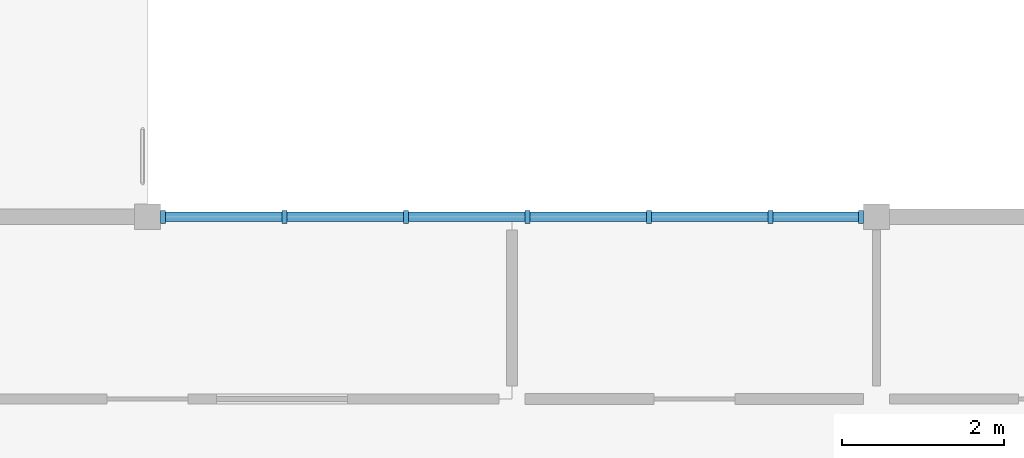
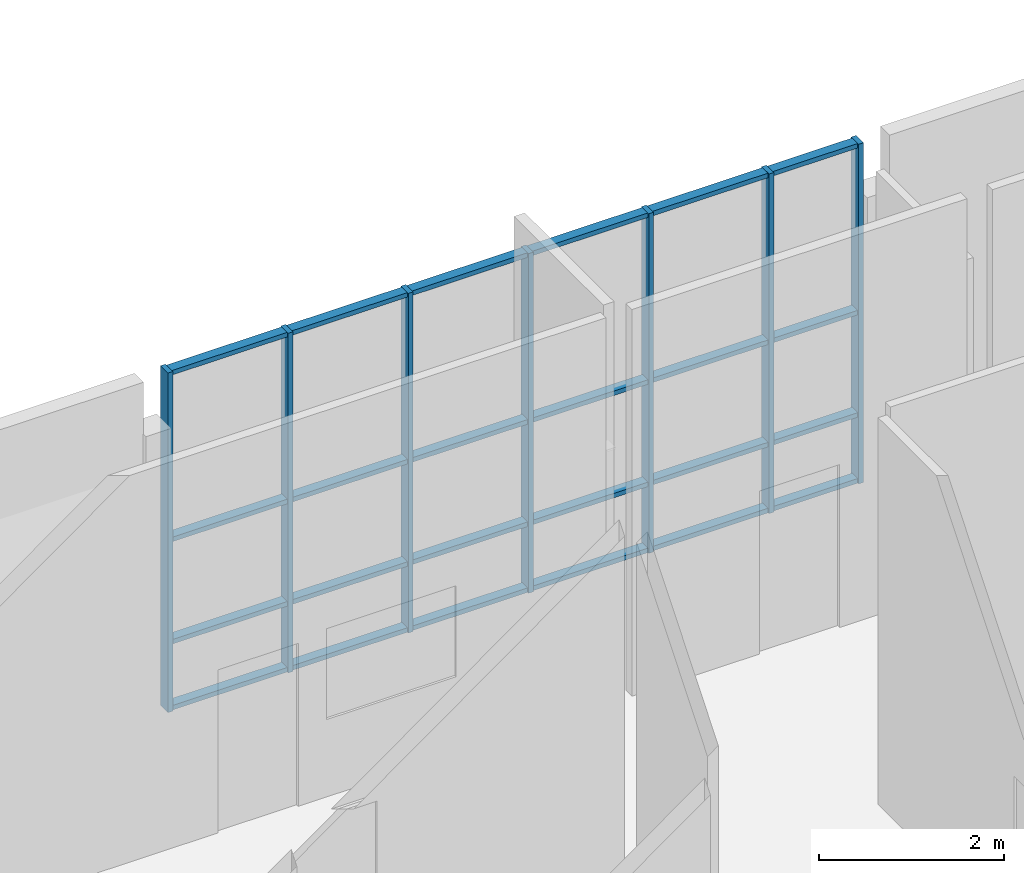
# One storey, part 2 of 8: 31 members, 1 element without a shape of its own.
"""IFC4 building model written with IfcOpenShell, lengths in metres."""

import ifcopenshell
import ifcopenshell.guid

model = None  # the IFC model being written
_history = None  # IfcOwnerHistory: only IFC2X3 demands one
_inside = {}  # id of a spatial element -> (the spatial element, [elements in it])
_under = {}  # id of a project, library or spatial element -> (it, [spatial elements below it])
_declared = {}  # id of a project -> (the project, [libraries it declares])
_typed = {}  # id of a type object -> (the type object, [elements of that type])
_made_of = {}  # id of a material, layer set ... -> (it, [elements and type objects made of it])


def new_model(schema):
    """Start an empty IFC model of exactly this schema.

    Asked for "IFC4X3", IfcOpenShell would pick the latest addendum, in which some entities
    have other attributes; the version numbers below select the first issue.
    IFC2X3 requires an IfcOwnerHistory on every rooted entity: one is made here for all.
    """
    global model, _history
    if schema == "IFC4X3":
        model = ifcopenshell.file(schema_version=(4, 3, 0, 0))
    else:
        model = ifcopenshell.file(schema=schema)
    _inside.clear()
    _under.clear()
    _declared.clear()
    _typed.clear()
    _made_of.clear()
    _history = None
    if model.schema == "IFC2X3":
        org = make("IfcOrganization", Name="unknown")
        user = make(
            "IfcPersonAndOrganization",
            ThePerson=make("IfcPerson", FamilyName="unknown"),
            TheOrganization=org,
        )
        app = make(
            "IfcApplication",
            ApplicationDeveloper=org,
            Version="unknown",
            ApplicationFullName="unknown",
            ApplicationIdentifier="unknown",
        )
        _history = make(
            "IfcOwnerHistory",
            OwningUser=user,
            OwningApplication=app,
            ChangeAction="ADDED",
            CreationDate=0,
        )
    return model


def make(cls, **values):
    """One entity of the class cls with the attributes given. An attribute that is None is left unset."""
    return model.create_entity(
        cls, **{name: value for name, value in values.items() if value is not None}
    )


def rooted(cls, **values):
    """An entity with a GlobalId (a new one), such as an element, a storey or a relation."""
    return make(cls, GlobalId=ifcopenshell.guid.new(), OwnerHistory=_history, **values)


def si_unit(unit_type, name, prefix=None):
    """IfcSIUnit, for example si_unit("LENGTHUNIT", "METRE", prefix="MILLI")."""
    return make("IfcSIUnit", UnitType=unit_type, Prefix=prefix, Name=name)


def assignment(units):
    """IfcUnitAssignment: the units of a project."""
    return None if units is None else make("IfcUnitAssignment", Units=units)


def point(xyz):
    """IfcCartesianPoint."""
    return None if xyz is None else make("IfcCartesianPoint", Coordinates=xyz)


def direction(xyz):
    """IfcDirection."""
    return None if xyz is None else make("IfcDirection", DirectionRatios=xyz)


def frame(location, z_axis=None, x_axis=None):
    """IfcAxis2Placement3D, a coordinate frame: its origin and axes. An axis left out is left unset."""
    return make(
        "IfcAxis2Placement3D",
        Location=point(location),
        Axis=direction(z_axis),
        RefDirection=direction(x_axis),
    )


def frame_2d(location, x_axis=None):
    """IfcAxis2Placement2D, a coordinate frame in the plane: its origin and x axis."""
    return make(
        "IfcAxis2Placement2D", Location=point(location), RefDirection=direction(x_axis)
    )


def origin():
    """The frame at (0, 0, 0) with its axes left unset."""
    return frame((0.0, 0.0, 0.0))


def origin_2d():
    """The frame at (0, 0) in the plane with its x axis left unset."""
    return frame_2d((0.0, 0.0))


def place(relative_to, where):
    """IfcLocalPlacement: puts the frame where relative to a parent placement (None: the world)."""
    return make(
        "IfcLocalPlacement", PlacementRelTo=relative_to, RelativePlacement=where
    )


def context(
    kind, dimensions, precision=None, world=None, true_north=None, identifier=None
):
    """IfcGeometricRepresentationContext, for example the 3D "Model" context."""
    return make(
        "IfcGeometricRepresentationContext",
        ContextIdentifier=identifier,
        ContextType=kind,
        CoordinateSpaceDimension=dimensions,
        Precision=precision,
        WorldCoordinateSystem=world,
        TrueNorth=true_north,
    )


def subcontext(parent, identifier, kind, view, scale=None):
    """IfcGeometricRepresentationSubContext, for example "Body" below "Model"."""
    return make(
        "IfcGeometricRepresentationSubContext",
        ContextIdentifier=identifier,
        ContextType=kind,
        ParentContext=parent,
        TargetScale=scale,
        TargetView=view,
    )


def project(units=None, contexts=None):
    """IfcProject with its units and contexts."""
    return rooted(
        "IfcProject",
        Name="project",
        RepresentationContexts=contexts,
        UnitsInContext=assignment(units),
    )


def spatial(cls, under=None, at=None, **own):
    """A site, building, storey or space (cls), placed at a placement, below another one or the project."""
    s = rooted(cls, ObjectPlacement=at, **own)
    if under is not None:
        _under.setdefault(under.id(), (under, []))[1].append(s)
    return s


def profile(cls, at=None, kind="AREA", **sizes):
    """A parametric profile (cls). Its sizes go by their IFC names, for example OverallWidth=200.0."""
    return make(cls, ProfileType=kind, Position=at, **sizes)


def rectangle(**sizes):
    """IfcRectangleProfileDef."""
    return profile("IfcRectangleProfileDef", **sizes)


def extrude(swept, where, along, depth):
    """IfcExtrudedAreaSolid: the profile swept, set in the frame where, extruded along a direction by depth."""
    return make(
        "IfcExtrudedAreaSolid",
        SweptArea=swept,
        Position=where,
        ExtrudedDirection=direction(along),
        Depth=depth,
    )


def shape(context_of_items, identifier, shape_type, items):
    """IfcShapeRepresentation: the items that make up one representation, for example the "Body"."""
    return make(
        "IfcShapeRepresentation",
        ContextOfItems=context_of_items,
        RepresentationIdentifier=identifier,
        RepresentationType=shape_type,
        Items=items,
    )


def material(Name=None, Category=None):
    """IfcMaterial."""
    return make("IfcMaterial", Name=Name, Category=Category)


def layer(
    of_material, thickness, ventilated=None, Name=None, Category=None, Priority=None
):
    """IfcMaterialLayer: one layer of a wall or slab, of a material (None: an air gap)."""
    return make(
        "IfcMaterialLayer",
        Material=of_material,
        LayerThickness=thickness,
        IsVentilated=ventilated,
        Name=Name,
        Category=Category,
        Priority=Priority,
    )


def layer_set(layers, Name=None):
    """IfcMaterialLayerSet."""
    return make("IfcMaterialLayerSet", MaterialLayers=layers, LayerSetName=Name)


def material_profile(
    of_material, cross_section, Name=None, Category=None, Priority=None
):
    """IfcMaterialProfile: a cross section and its material."""
    return make(
        "IfcMaterialProfile",
        Name=Name,
        Material=of_material,
        Profile=cross_section,
        Priority=Priority,
        Category=Category,
    )


def profile_set(profiles, Name=None, composite=None):
    """IfcMaterialProfileSet."""
    return make(
        "IfcMaterialProfileSet",
        Name=Name,
        MaterialProfiles=profiles,
        CompositeProfile=composite,
    )


def made_of(thing, what):
    """Note that an element or type object is made of a material, layer set ...; save() writes the relation."""
    if what is not None:
        _made_of.setdefault(what.id(), (what, []))[1].append(thing)
    return thing


def type_object(cls, material=None, **own):
    """A type object (cls), such as IfcWallType, which elements share."""
    return made_of(rooted(cls, **own), material)


def element(
    cls,
    number,
    at=None,
    inside=None,
    cuts=None,
    type_object=None,
    material=None,
    context=None,
    identifier="Body",
    shape_type=None,
    held_by="IfcProductDefinitionShape",
    body=None,
    shapes=None,
    **own,
):
    """One element of the class cls, such as IfcWall. Its Tag is "e" and its number.

    at: its placement. inside: the storey or other place that contains it. cuts: it is an
    opening in that element (IfcRelVoidsElement). A single representation is given by context,
    identifier, shape_type and body (its items); several are given by shapes. held_by: the class
    of the entity that holds the representations. save() writes the other relations.
    """
    e = rooted(cls, Tag="e%d" % number, ObjectPlacement=at, **own)
    if body is not None:
        shapes = [shape(context, identifier, shape_type, body)]
    if shapes is not None:
        e.Representation = make(held_by, Representations=shapes)
    if inside is not None:
        _inside.setdefault(inside.id(), (inside, []))[1].append(e)
    if cuts is not None:
        rooted(
            "IfcRelVoidsElement", RelatingBuildingElement=cuts, RelatedOpeningElement=e
        )
    if type_object is not None:
        _typed.setdefault(type_object.id(), (type_object, []))[1].append(e)
    return made_of(e, material)


def aggregate(whole, parts):
    """IfcRelAggregates: a whole, such as a stair, and the parts it consists of."""
    return rooted("IfcRelAggregates", RelatingObject=whole, RelatedObjects=parts)


def save(model, path):
    """Write the relations noted so far, then the file.

    IfcRelAggregates (storeys below a building ...), IfcRelContainedInSpatialStructure (elements
    in a storey), IfcRelDefinesByType, IfcRelAssociatesMaterial and IfcRelDeclares: one each for
    every whole, place, type object, material and project.
    """
    for whole, parts in _under.values():
        aggregate(whole, parts)
    for where, things in _inside.values():
        rooted(
            "IfcRelContainedInSpatialStructure",
            RelatedElements=things,
            RelatingStructure=where,
        )
    for kind, things in _typed.values():
        rooted("IfcRelDefinesByType", RelatedObjects=things, RelatingType=kind)
    for what, things in _made_of.values():
        rooted("IfcRelAssociatesMaterial", RelatedObjects=things, RelatingMaterial=what)
    for by, libraries in _declared.values():
        rooted("IfcRelDeclares", RelatingContext=by, RelatedDefinitions=libraries)
    model.write(path)


model = new_model("IFC4")

# Units and contexts
model_context = context("Model", 3, precision=1e-05, world=origin(), true_north=direction((0.0, 1.0)))
body_context = subcontext(model_context, "Body", "Model", "MODEL_VIEW")
ifc_project = project(units=[si_unit("LENGTHUNIT", "METRE"), si_unit("AREAUNIT", "SQUARE_METRE"), si_unit("VOLUMEUNIT", "CUBIC_METRE"), si_unit("PLANEANGLEUNIT", "RADIAN"), si_unit("MASSUNIT", "GRAM", prefix="KILO")], contexts=[model_context])

# Site, building, storey
site_placement = place(None, origin())
site = spatial("IfcSite", under=ifc_project, at=site_placement, CompositionType="ELEMENT")
building_placement = place(site_placement, origin())
building = spatial("IfcBuilding", under=site, at=building_placement, Name="Marnridge Secondary College", CompositionType="ELEMENT")
storey_placement = place(building_placement, frame((0.0, 0.0, 19.89990234375)))
storey = spatial("IfcBuildingStorey", under=building, at=storey_placement, Name="L05", CompositionType="ELEMENT", Elevation=19.89990234375)

# Curtain wall, members
ifc_material_1 = material(Name="Thermally broken aluminium and low-E glazing", Category="aluminium")
ifc_layer = layer(ifc_material_1, 0.159912109375)
ifc_layer_set = layer_set([ifc_layer], Name="CW-MOD-1500")
curtain_wall_type = type_object("IfcCurtainWallType", Name="CW-MOD-1500", PredefinedType="NOTDEFINED", material=ifc_layer_set)
curtain_wall_placement = place(storey_placement, origin())
curtain_wall = element("IfcCurtainWall", 1, at=curtain_wall_placement, inside=storey, type_object=curtain_wall_type, Name="Unitised curtain wall CW-L05-152", PredefinedType="NOTDEFINED")
ifc_material_2 = material(Name="Anodised aluminium 6063-T6", Category="aluminium")
ifc_material_profile_1 = material_profile(ifc_material_2, rectangle(XDim=0.06005859375, YDim=0.159912109375, at=origin_2d()), Name="ALU 60x160")
ifc_profile_set_1 = profile_set([ifc_material_profile_1], Name="Anodised aluminium 6063-T6")
member_type_1 = type_object("IfcMemberType", Name="CWM-ALU160", PredefinedType="MULLION", material=ifc_profile_set_1)
member_1_placement = place(storey_placement, frame((63.19140625, 67.5, 0.0), z_axis=(0.0, 0.0, 1.0), x_axis=(1.0, 0.0, 0.0)))
member_1 = element("IfcMember", 2, at=member_1_placement, type_object=member_type_1, Name="CW-L05-152 mullion 1", PredefinedType="MULLION", context=body_context, shape_type="SweptSolid", body=[
    extrude(rectangle(XDim=0.06005859375, YDim=0.159912109375, at=origin_2d()), origin(), (0.0, 0.0, 1.0), 4.48046875),
])
member_2_placement = place(storey_placement, frame((64.69140625, 67.5, 0.0), z_axis=(0.0, 0.0, 1.0), x_axis=(1.0, 0.0, 0.0)))
member_2 = element("IfcMember", 3, at=member_2_placement, type_object=member_type_1, Name="CW-L05-152 mullion 2", PredefinedType="MULLION", context=body_context, shape_type="SweptSolid", body=[
    extrude(rectangle(XDim=0.06005859375, YDim=0.159912109375, at=origin_2d()), origin(), (0.0, 0.0, 1.0), 4.48046875),
])
member_3_placement = place(storey_placement, frame((66.19140625, 67.5, 0.0), z_axis=(0.0, 0.0, 1.0), x_axis=(1.0, 0.0, 0.0)))
member_3 = element("IfcMember", 4, at=member_3_placement, type_object=member_type_1, Name="CW-L05-152 mullion 3", PredefinedType="MULLION", context=body_context, shape_type="SweptSolid", body=[
    extrude(rectangle(XDim=0.06005859375, YDim=0.159912109375, at=origin_2d()), origin(), (0.0, 0.0, 1.0), 4.48046875),
])
member_4_placement = place(storey_placement, frame((67.69140625, 67.5, 0.0), z_axis=(0.0, 0.0, 1.0), x_axis=(1.0, 0.0, 0.0)))
member_4 = element("IfcMember", 5, at=member_4_placement, type_object=member_type_1, Name="CW-L05-152 mullion 4", PredefinedType="MULLION", context=body_context, shape_type="SweptSolid", body=[
    extrude(rectangle(XDim=0.06005859375, YDim=0.159912109375, at=origin_2d()), origin(), (0.0, 0.0, 1.0), 4.48046875),
])
member_5_placement = place(storey_placement, frame((69.19140625, 67.5, 0.0), z_axis=(0.0, 0.0, 1.0), x_axis=(1.0, 0.0, 0.0)))
member_5 = element("IfcMember", 6, at=member_5_placement, type_object=member_type_1, Name="CW-L05-152 mullion 5", PredefinedType="MULLION", context=body_context, shape_type="SweptSolid", body=[
    extrude(rectangle(XDim=0.06005859375, YDim=0.159912109375, at=origin_2d()), origin(), (0.0, 0.0, 1.0), 4.48046875),
])
member_6_placement = place(storey_placement, frame((70.69140625, 67.5, 0.0), z_axis=(0.0, 0.0, 1.0), x_axis=(1.0, 0.0, 0.0)))
member_6 = element("IfcMember", 7, at=member_6_placement, type_object=member_type_1, Name="CW-L05-152 mullion 6", PredefinedType="MULLION", context=body_context, shape_type="SweptSolid", body=[
    extrude(rectangle(XDim=0.06005859375, YDim=0.159912109375, at=origin_2d()), origin(), (0.0, 0.0, 1.0), 4.48046875),
])
member_7_placement = place(storey_placement, frame((71.80859375, 67.5, 0.0), z_axis=(0.0, 0.0, 1.0), x_axis=(1.0, 0.0, 0.0)))
member_7 = element("IfcMember", 8, at=member_7_placement, type_object=member_type_1, Name="CW-L05-152 mullion 7", PredefinedType="MULLION", context=body_context, shape_type="SweptSolid", body=[
    extrude(rectangle(XDim=0.06005859375, YDim=0.159912109375, at=origin_2d()), origin(), (0.0, 0.0, 1.0), 4.48046875),
])
ifc_material_3 = material(Name="Anodised aluminium 6063-T6", Category="aluminium")
ifc_material_profile_2 = material_profile(ifc_material_3, rectangle(XDim=0.06005859375, YDim=0.1201171875, at=origin_2d()), Name="ALU 60x120")
ifc_profile_set_2 = profile_set([ifc_material_profile_2], Name="Anodised aluminium 6063-T6")
member_type_2 = type_object("IfcMemberType", Name="CWT-ALU120", PredefinedType="USERDEFINED", material=ifc_profile_set_2)
member_8_placement = place(storey_placement, frame((63.221435546875, 67.5, 0.030029296875), z_axis=(1.0, 0.0, 0.0), x_axis=(0.0, 0.0, 1.0)))
member_8 = element("IfcMember", 9, at=member_8_placement, type_object=member_type_2, Name="CW-L05-152 transom 1.1", ObjectType="TRANSOM", PredefinedType="USERDEFINED", context=body_context, shape_type="SweptSolid", body=[
    extrude(rectangle(XDim=0.06005859375, YDim=0.1201171875, at=origin_2d()), origin(), (0.0, 0.0, 1.0), 1.440185546875),
])
member_9_placement = place(storey_placement, frame((63.221435546875, 67.5, 0.900146484375), z_axis=(1.0, 0.0, 0.0), x_axis=(0.0, 0.0, 1.0)))
member_9 = element("IfcMember", 10, at=member_9_placement, type_object=member_type_2, Name="CW-L05-152 transom 1.2", ObjectType="TRANSOM", PredefinedType="USERDEFINED", context=body_context, shape_type="SweptSolid", body=[
    extrude(rectangle(XDim=0.06005859375, YDim=0.1201171875, at=origin_2d()), origin(), (0.0, 0.0, 1.0), 1.440185546875),
])
member_10_placement = place(storey_placement, frame((63.221435546875, 67.5, 2.25), z_axis=(1.0, 0.0, 0.0), x_axis=(0.0, 0.0, 1.0)))
member_10 = element("IfcMember", 11, at=member_10_placement, type_object=member_type_2, Name="CW-L05-152 transom 1.3", ObjectType="TRANSOM", PredefinedType="USERDEFINED", context=body_context, shape_type="SweptSolid", body=[
    extrude(rectangle(XDim=0.06005859375, YDim=0.1201171875, at=origin_2d()), origin(), (0.0, 0.0, 1.0), 1.440185546875),
])
member_11_placement = place(storey_placement, frame((63.221435546875, 67.5, 4.450439453125), z_axis=(1.0, 0.0, 0.0), x_axis=(0.0, 0.0, 1.0)))
member_11 = element("IfcMember", 12, at=member_11_placement, type_object=member_type_2, Name="CW-L05-152 transom 1.4", ObjectType="TRANSOM", PredefinedType="USERDEFINED", context=body_context, shape_type="SweptSolid", body=[
    extrude(rectangle(XDim=0.06005859375, YDim=0.1201171875, at=origin_2d()), origin(), (0.0, 0.0, 1.0), 1.440185546875),
])
member_12_placement = place(storey_placement, frame((64.721435546875, 67.5, 0.030029296875), z_axis=(1.0, 0.0, 0.0), x_axis=(0.0, 0.0, 1.0)))
member_12 = element("IfcMember", 13, at=member_12_placement, type_object=member_type_2, Name="CW-L05-152 transom 2.1", ObjectType="TRANSOM", PredefinedType="USERDEFINED", context=body_context, shape_type="SweptSolid", body=[
    extrude(rectangle(XDim=0.06005859375, YDim=0.1201171875, at=origin_2d()), origin(), (0.0, 0.0, 1.0), 1.440185546875),
])
member_13_placement = place(storey_placement, frame((64.721435546875, 67.5, 0.900146484375), z_axis=(1.0, 0.0, 0.0), x_axis=(0.0, 0.0, 1.0)))
member_13 = element("IfcMember", 14, at=member_13_placement, type_object=member_type_2, Name="CW-L05-152 transom 2.2", ObjectType="TRANSOM", PredefinedType="USERDEFINED", context=body_context, shape_type="SweptSolid", body=[
    extrude(rectangle(XDim=0.06005859375, YDim=0.1201171875, at=origin_2d()), origin(), (0.0, 0.0, 1.0), 1.440185546875),
])
member_14_placement = place(storey_placement, frame((64.721435546875, 67.5, 2.25), z_axis=(1.0, 0.0, 0.0), x_axis=(0.0, 0.0, 1.0)))
member_14 = element("IfcMember", 15, at=member_14_placement, type_object=member_type_2, Name="CW-L05-152 transom 2.3", ObjectType="TRANSOM", PredefinedType="USERDEFINED", context=body_context, shape_type="SweptSolid", body=[
    extrude(rectangle(XDim=0.06005859375, YDim=0.1201171875, at=origin_2d()), origin(), (0.0, 0.0, 1.0), 1.440185546875),
])
member_15_placement = place(storey_placement, frame((64.721435546875, 67.5, 4.450439453125), z_axis=(1.0, 0.0, 0.0), x_axis=(0.0, 0.0, 1.0)))
member_15 = element("IfcMember", 16, at=member_15_placement, type_object=member_type_2, Name="CW-L05-152 transom 2.4", ObjectType="TRANSOM", PredefinedType="USERDEFINED", context=body_context, shape_type="SweptSolid", body=[
    extrude(rectangle(XDim=0.06005859375, YDim=0.1201171875, at=origin_2d()), origin(), (0.0, 0.0, 1.0), 1.440185546875),
])
member_16_placement = place(storey_placement, frame((66.221435546875, 67.5, 0.030029296875), z_axis=(1.0, 0.0, 0.0), x_axis=(0.0, 0.0, 1.0)))
member_16 = element("IfcMember", 17, at=member_16_placement, type_object=member_type_2, Name="CW-L05-152 transom 3.1", ObjectType="TRANSOM", PredefinedType="USERDEFINED", context=body_context, shape_type="SweptSolid", body=[
    extrude(rectangle(XDim=0.06005859375, YDim=0.1201171875, at=origin_2d()), origin(), (0.0, 0.0, 1.0), 1.440185546875),
])
member_17_placement = place(storey_placement, frame((66.221435546875, 67.5, 0.900146484375), z_axis=(1.0, 0.0, 0.0), x_axis=(0.0, 0.0, 1.0)))
member_17 = element("IfcMember", 18, at=member_17_placement, type_object=member_type_2, Name="CW-L05-152 transom 3.2", ObjectType="TRANSOM", PredefinedType="USERDEFINED", context=body_context, shape_type="SweptSolid", body=[
    extrude(rectangle(XDim=0.06005859375, YDim=0.1201171875, at=origin_2d()), origin(), (0.0, 0.0, 1.0), 1.440185546875),
])
member_18_placement = place(storey_placement, frame((66.221435546875, 67.5, 2.25), z_axis=(1.0, 0.0, 0.0), x_axis=(0.0, 0.0, 1.0)))
member_18 = element("IfcMember", 19, at=member_18_placement, type_object=member_type_2, Name="CW-L05-152 transom 3.3", ObjectType="TRANSOM", PredefinedType="USERDEFINED", context=body_context, shape_type="SweptSolid", body=[
    extrude(rectangle(XDim=0.06005859375, YDim=0.1201171875, at=origin_2d()), origin(), (0.0, 0.0, 1.0), 1.440185546875),
])
member_19_placement = place(storey_placement, frame((66.221435546875, 67.5, 4.450439453125), z_axis=(1.0, 0.0, 0.0), x_axis=(0.0, 0.0, 1.0)))
member_19 = element("IfcMember", 20, at=member_19_placement, type_object=member_type_2, Name="CW-L05-152 transom 3.4", ObjectType="TRANSOM", PredefinedType="USERDEFINED", context=body_context, shape_type="SweptSolid", body=[
    extrude(rectangle(XDim=0.06005859375, YDim=0.1201171875, at=origin_2d()), origin(), (0.0, 0.0, 1.0), 1.440185546875),
])
member_20_placement = place(storey_placement, frame((67.721435546875, 67.5, 0.030029296875), z_axis=(1.0, 0.0, 0.0), x_axis=(0.0, 0.0, 1.0)))
member_20 = element("IfcMember", 21, at=member_20_placement, type_object=member_type_2, Name="CW-L05-152 transom 4.1", ObjectType="TRANSOM", PredefinedType="USERDEFINED", context=body_context, shape_type="SweptSolid", body=[
    extrude(rectangle(XDim=0.06005859375, YDim=0.1201171875, at=origin_2d()), origin(), (0.0, 0.0, 1.0), 1.440185546875),
])
member_21_placement = place(storey_placement, frame((67.721435546875, 67.5, 0.900146484375), z_axis=(1.0, 0.0, 0.0), x_axis=(0.0, 0.0, 1.0)))
member_21 = element("IfcMember", 22, at=member_21_placement, type_object=member_type_2, Name="CW-L05-152 transom 4.2", ObjectType="TRANSOM", PredefinedType="USERDEFINED", context=body_context, shape_type="SweptSolid", body=[
    extrude(rectangle(XDim=0.06005859375, YDim=0.1201171875, at=origin_2d()), origin(), (0.0, 0.0, 1.0), 1.440185546875),
])
member_22_placement = place(storey_placement, frame((67.721435546875, 67.5, 2.25), z_axis=(1.0, 0.0, 0.0), x_axis=(0.0, 0.0, 1.0)))
member_22 = element("IfcMember", 23, at=member_22_placement, type_object=member_type_2, Name="CW-L05-152 transom 4.3", ObjectType="TRANSOM", PredefinedType="USERDEFINED", context=body_context, shape_type="SweptSolid", body=[
    extrude(rectangle(XDim=0.06005859375, YDim=0.1201171875, at=origin_2d()), origin(), (0.0, 0.0, 1.0), 1.440185546875),
])
member_23_placement = place(storey_placement, frame((67.721435546875, 67.5, 4.450439453125), z_axis=(1.0, 0.0, 0.0), x_axis=(0.0, 0.0, 1.0)))
member_23 = element("IfcMember", 24, at=member_23_placement, type_object=member_type_2, Name="CW-L05-152 transom 4.4", ObjectType="TRANSOM", PredefinedType="USERDEFINED", context=body_context, shape_type="SweptSolid", body=[
    extrude(rectangle(XDim=0.06005859375, YDim=0.1201171875, at=origin_2d()), origin(), (0.0, 0.0, 1.0), 1.440185546875),
])
member_24_placement = place(storey_placement, frame((69.221435546875, 67.5, 0.030029296875), z_axis=(1.0, 0.0, 0.0), x_axis=(0.0, 0.0, 1.0)))
member_24 = element("IfcMember", 25, at=member_24_placement, type_object=member_type_2, Name="CW-L05-152 transom 5.1", ObjectType="TRANSOM", PredefinedType="USERDEFINED", context=body_context, shape_type="SweptSolid", body=[
    extrude(rectangle(XDim=0.06005859375, YDim=0.1201171875, at=origin_2d()), origin(), (0.0, 0.0, 1.0), 1.440185546875),
])
member_25_placement = place(storey_placement, frame((69.221435546875, 67.5, 0.900146484375), z_axis=(1.0, 0.0, 0.0), x_axis=(0.0, 0.0, 1.0)))
member_25 = element("IfcMember", 26, at=member_25_placement, type_object=member_type_2, Name="CW-L05-152 transom 5.2", ObjectType="TRANSOM", PredefinedType="USERDEFINED", context=body_context, shape_type="SweptSolid", body=[
    extrude(rectangle(XDim=0.06005859375, YDim=0.1201171875, at=origin_2d()), origin(), (0.0, 0.0, 1.0), 1.440185546875),
])
member_26_placement = place(storey_placement, frame((69.221435546875, 67.5, 2.25), z_axis=(1.0, 0.0, 0.0), x_axis=(0.0, 0.0, 1.0)))
member_26 = element("IfcMember", 27, at=member_26_placement, type_object=member_type_2, Name="CW-L05-152 transom 5.3", ObjectType="TRANSOM", PredefinedType="USERDEFINED", context=body_context, shape_type="SweptSolid", body=[
    extrude(rectangle(XDim=0.06005859375, YDim=0.1201171875, at=origin_2d()), origin(), (0.0, 0.0, 1.0), 1.440185546875),
])
member_27_placement = place(storey_placement, frame((69.221435546875, 67.5, 4.450439453125), z_axis=(1.0, 0.0, 0.0), x_axis=(0.0, 0.0, 1.0)))
member_27 = element("IfcMember", 28, at=member_27_placement, type_object=member_type_2, Name="CW-L05-152 transom 5.4", ObjectType="TRANSOM", PredefinedType="USERDEFINED", context=body_context, shape_type="SweptSolid", body=[
    extrude(rectangle(XDim=0.06005859375, YDim=0.1201171875, at=origin_2d()), origin(), (0.0, 0.0, 1.0), 1.440185546875),
])
member_28_placement = place(storey_placement, frame((70.721435546875, 67.5, 0.030029296875), z_axis=(1.0, 0.0, 0.0), x_axis=(0.0, 0.0, 1.0)))
member_28 = element("IfcMember", 29, at=member_28_placement, type_object=member_type_2, Name="CW-L05-152 transom 6.1", ObjectType="TRANSOM", PredefinedType="USERDEFINED", context=body_context, shape_type="SweptSolid", body=[
    extrude(rectangle(XDim=0.06005859375, YDim=0.1201171875, at=origin_2d()), origin(), (0.0, 0.0, 1.0), 1.05712890625),
])
member_29_placement = place(storey_placement, frame((70.721435546875, 67.5, 0.900146484375), z_axis=(1.0, 0.0, 0.0), x_axis=(0.0, 0.0, 1.0)))
member_29 = element("IfcMember", 30, at=member_29_placement, type_object=member_type_2, Name="CW-L05-152 transom 6.2", ObjectType="TRANSOM", PredefinedType="USERDEFINED", context=body_context, shape_type="SweptSolid", body=[
    extrude(rectangle(XDim=0.06005859375, YDim=0.1201171875, at=origin_2d()), origin(), (0.0, 0.0, 1.0), 1.05712890625),
])
member_30_placement = place(storey_placement, frame((70.721435546875, 67.5, 2.25), z_axis=(1.0, 0.0, 0.0), x_axis=(0.0, 0.0, 1.0)))
member_30 = element("IfcMember", 31, at=member_30_placement, type_object=member_type_2, Name="CW-L05-152 transom 6.3", ObjectType="TRANSOM", PredefinedType="USERDEFINED", context=body_context, shape_type="SweptSolid", body=[
    extrude(rectangle(XDim=0.06005859375, YDim=0.1201171875, at=origin_2d()), origin(), (0.0, 0.0, 1.0), 1.05712890625),
])
member_31_placement = place(storey_placement, frame((70.721435546875, 67.5, 4.450439453125), z_axis=(1.0, 0.0, 0.0), x_axis=(0.0, 0.0, 1.0)))
member_31 = element("IfcMember", 32, at=member_31_placement, type_object=member_type_2, Name="CW-L05-152 transom 6.4", ObjectType="TRANSOM", PredefinedType="USERDEFINED", context=body_context, shape_type="SweptSolid", body=[
    extrude(rectangle(XDim=0.06005859375, YDim=0.1201171875, at=origin_2d()), origin(), (0.0, 0.0, 1.0), 1.05712890625),
])
aggregate(curtain_wall, [member_1, member_2, member_3, member_4, member_5, member_6, member_7, member_8, member_9, member_10, member_11, member_12, member_13, member_14, member_15, member_16, member_17, member_18, member_19, member_20, member_21, member_22, member_23, member_24, member_25, member_26, member_27, member_28, member_29, member_30, member_31])

save(model, "model.ifc")
